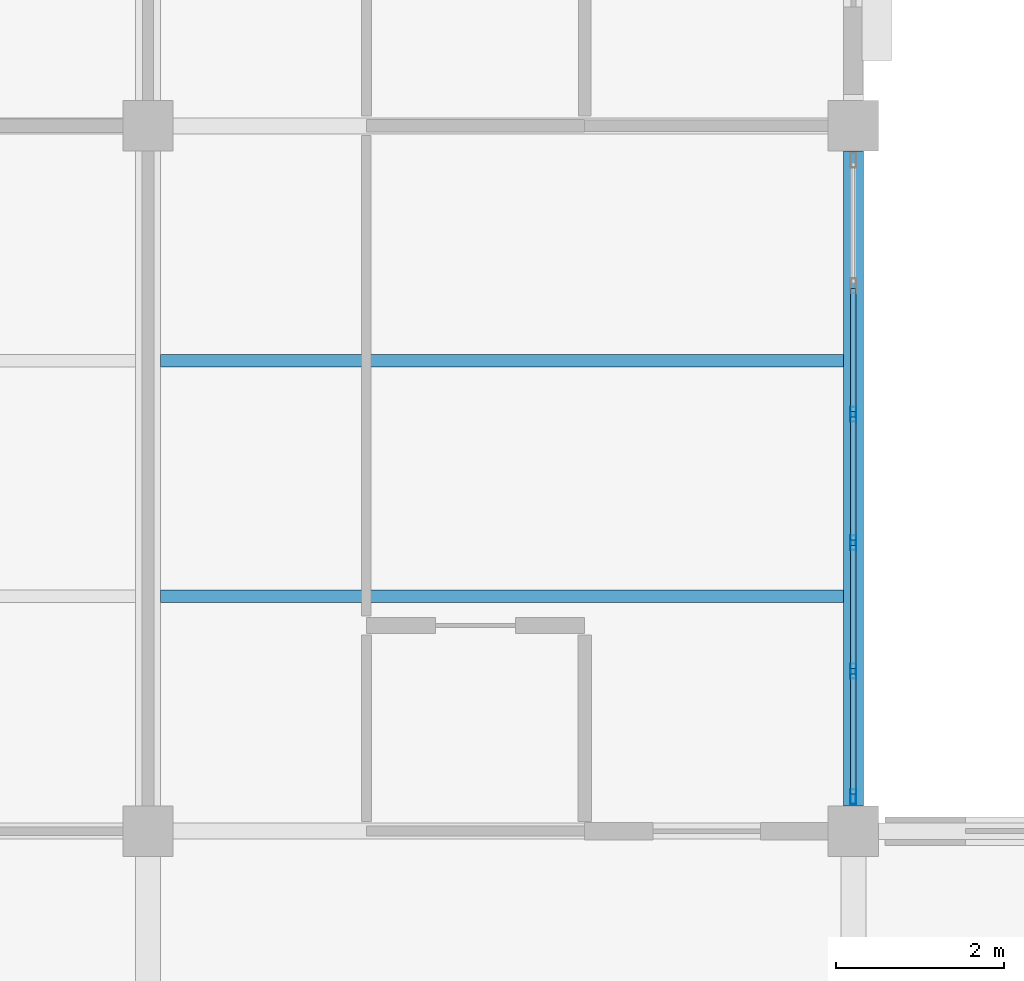
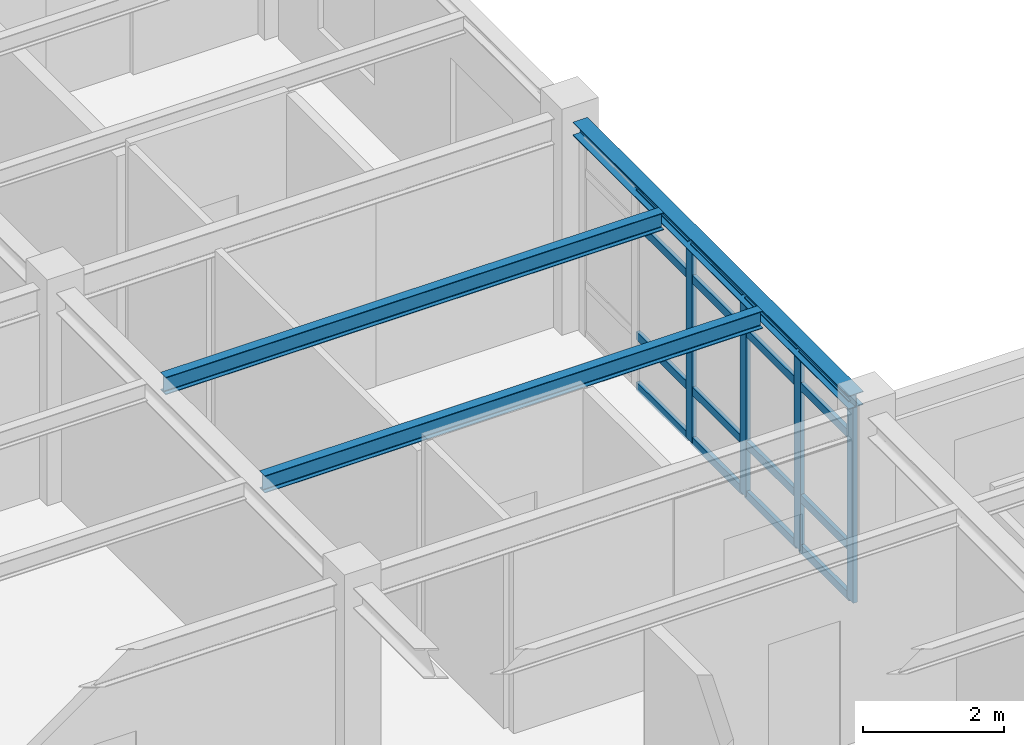
# One storey, part 8 of 86: 20 members, 3 beams, 1 element without a shape of its own.
"""IFC4 building model written with IfcOpenShell, lengths in metres."""

from ifc_helpers import new_model, si_unit, direction, frame, origin, origin_2d, place, context, subcontext, project, spatial, hollow_rectangle, i_section, extrude, material, layer, layer_set, material_profile, profile_set, type_object, element, aggregate, save


model = new_model("IFC4")

# Units and contexts
model_context = context("Model", 3, precision=1e-05, world=origin(), true_north=direction((0.0, 1.0)))
body_context = subcontext(model_context, "Body", "Model", "MODEL_VIEW")
ifc_project = project(units=[si_unit("LENGTHUNIT", "METRE"), si_unit("AREAUNIT", "SQUARE_METRE"), si_unit("VOLUMEUNIT", "CUBIC_METRE"), si_unit("PLANEANGLEUNIT", "RADIAN"), si_unit("MASSUNIT", "GRAM", prefix="KILO")], contexts=[model_context])

# Site, building, storey
site_placement = place(None, origin())
site = spatial("IfcSite", under=ifc_project, at=site_placement, CompositionType="ELEMENT")
building_placement = place(site_placement, origin())
building = spatial("IfcBuilding", under=site, at=building_placement, Name="Bramfleet General Hospital", CompositionType="ELEMENT")
storey_placement = place(building_placement, frame((0.0, 0.0, 18.60009765625)))
storey = spatial("IfcBuildingStorey", under=building, at=storey_placement, Name="L04", CompositionType="ELEMENT", Elevation=18.60009765625)

# Beams
ifc_material_1 = material(Name="Steel S355", Category="steel")
ifc_material_profile_1 = material_profile(ifc_material_1, i_section(OverallWidth=0.239990234375, OverallDepth=0.22998046875, WebThickness=0.007568359375, FlangeThickness=0.011962890625, FilletRadius=0.02099609375, at=origin_2d()), Name="HEA 240")
ifc_profile_set_1 = profile_set([ifc_material_profile_1], Name="Steel S355")
beam_type_1 = type_object("IfcBeamType", Name="BM-HEA240", PredefinedType="SPANDREL", material=ifc_profile_set_1)
beam_placement = place(storey_placement, frame((117.60009765625, 25.5, 3.5048828125), z_axis=(0.0, 1.0, 0.0), x_axis=(-1.0, 0.0, 0.0)))
element("IfcBeam", 1, at=beam_placement, inside=storey, type_object=beam_type_1, Name="L04 Grid Beam Y 14-03", PredefinedType="SPANDREL", context=body_context, shape_type="SweptSolid", body=[
    extrude(i_section(OverallWidth=0.239990234375, OverallDepth=0.22998046875, WebThickness=0.007568359375, FlangeThickness=0.011962890625, FilletRadius=0.02099609375, at=origin_2d()), origin(), (0.0, 0.0, 1.0), 7.800048828125),
])
ifc_material_profile_2 = material_profile(ifc_material_1, i_section(OverallWidth=0.14990234375, OverallDepth=0.300048828125, WebThickness=0.007080078125, FlangeThickness=0.0107421875, FilletRadius=0.014892578125, at=origin_2d()), Name="IPE 300")
ifc_profile_set_2 = profile_set([ifc_material_profile_2], Name="Steel S355")
beam_type_2 = type_object("IfcBeamType", Name="BM-IPE300", PredefinedType="JOIST", material=ifc_profile_set_2)
for number, where, z_axis, x_axis, name in (
    (2, (109.35009765625, 28.0, 3.469970703125), (1.0, 0.0, 0.0), (0.0, 1.0, 0.0), "L04 Secondary Joist 13-03-1"),
    (3, (109.35009765625, 30.800048828125, 3.469970703125), (1.0, 0.0, 0.0), (0.0, 1.0, 0.0), "L04 Secondary Joist 13-03-2"),
):
    element("IfcBeam", number, at=place(storey_placement, frame(where, z_axis=z_axis, x_axis=x_axis)), inside=storey, type_object=beam_type_2, Name=name, PredefinedType="JOIST", context=body_context, shape_type="SweptSolid", body=[
        extrude(i_section(OverallWidth=0.14990234375, OverallDepth=0.300048828125, WebThickness=0.007080078125, FlangeThickness=0.0107421875, FilletRadius=0.014892578125, at=origin_2d()), origin(), (0.0, 0.0, 1.0), 8.1298828125),
    ])

# Curtain wall, members
ifc_material_2 = material(Name="Anodised aluminium and low-E triple glazing", Category="aluminium")
ifc_layer = layer(ifc_material_2, 0.179931640625, Name="CWT-CW-13")
ifc_layer_set = layer_set([ifc_layer], Name="Anodised aluminium and low-E triple glazing")
curtain_wall_type = type_object("IfcCurtainWallType", Name="CWT-CW-13", PredefinedType="USERDEFINED", material=ifc_layer_set)
curtain_wall_placement = place(storey_placement, origin())
curtain_wall = element("IfcCurtainWall", 4, at=curtain_wall_placement, inside=storey, type_object=curtain_wall_type, Name="L04 Curtain Wall 193", ObjectType="Stick curtain wall", PredefinedType="USERDEFINED")
ifc_material_3 = material(Name="Anodised aluminium EN AW-6060", Category="aluminium")
ifc_material_profile_3 = material_profile(ifc_material_3, hollow_rectangle(XDim=0.070068359375, YDim=0.179931640625, WallThickness=0.00390625, at=origin_2d()), Name="ALU 180x70x4.0")
ifc_profile_set_3 = profile_set([ifc_material_profile_3], Name="Anodised aluminium EN AW-6060")
member_type_1 = type_object("IfcMemberType", Name="CWM-ALU180", PredefinedType="MULLION", material=ifc_profile_set_3)
member_1_placement = place(storey_placement, frame((117.60009765625, 30.1650390625, 0.0), z_axis=(0.0, 0.0, 1.0), x_axis=(1.0, 0.0, 0.0)))
member_1 = element("IfcMember", 5, at=member_1_placement, type_object=member_type_1, Name="CW-13 mullion 3", PredefinedType="MULLION", context=body_context, shape_type="SweptSolid", body=[
    extrude(hollow_rectangle(XDim=0.070068359375, YDim=0.179931640625, WallThickness=0.00390625, at=origin_2d()), origin(), (0.0, 0.0, 1.0), 3.3798828125),
])
member_2_placement = place(storey_placement, frame((117.60009765625, 28.635009765625, 0.0), z_axis=(0.0, 0.0, 1.0), x_axis=(1.0, 0.0, 0.0)))
member_2 = element("IfcMember", 6, at=member_2_placement, type_object=member_type_1, Name="CW-13 mullion 4", PredefinedType="MULLION", context=body_context, shape_type="SweptSolid", body=[
    extrude(hollow_rectangle(XDim=0.070068359375, YDim=0.179931640625, WallThickness=0.00390625, at=origin_2d()), origin(), (0.0, 0.0, 1.0), 3.3798828125),
])
member_3_placement = place(storey_placement, frame((117.60009765625, 27.10498046875, 0.0), z_axis=(0.0, 0.0, 1.0), x_axis=(1.0, 0.0, 0.0)))
member_3 = element("IfcMember", 7, at=member_3_placement, type_object=member_type_1, Name="CW-13 mullion 5", PredefinedType="MULLION", context=body_context, shape_type="SweptSolid", body=[
    extrude(hollow_rectangle(XDim=0.070068359375, YDim=0.179931640625, WallThickness=0.00390625, at=origin_2d()), origin(), (0.0, 0.0, 1.0), 3.3798828125),
])
member_4_placement = place(storey_placement, frame((117.60009765625, 25.610107421875, 0.0), z_axis=(0.0, 0.0, 1.0), x_axis=(1.0, 0.0, 0.0)))
member_4 = element("IfcMember", 8, at=member_4_placement, type_object=member_type_1, Name="CW-13 mullion 6", PredefinedType="MULLION", context=body_context, shape_type="SweptSolid", body=[
    extrude(hollow_rectangle(XDim=0.070068359375, YDim=0.179931640625, WallThickness=0.00390625, at=origin_2d()), origin(), (0.0, 0.0, 1.0), 3.3798828125),
])
ifc_material_profile_4 = material_profile(ifc_material_3, hollow_rectangle(XDim=0.06494140625, YDim=0.139892578125, WallThickness=0.00390625, at=origin_2d()), Name="ALU 140x65x4.0")
ifc_profile_set_4 = profile_set([ifc_material_profile_4], Name="Anodised aluminium EN AW-6060")
member_type_2 = type_object("IfcMemberType", Name="CWT-ALU140", PredefinedType="USERDEFINED", material=ifc_profile_set_4)
member_5_placement = place(storey_placement, frame((117.60009765625, 31.659912109375, 0.032470703125), z_axis=(0.0, -1.0, 0.0), x_axis=(1.0, 0.0, 0.0)))
member_5 = element("IfcMember", 9, at=member_5_placement, type_object=member_type_2, Name="CW-13 transom 2.1", ObjectType="TRANSOM", PredefinedType="USERDEFINED", context=body_context, shape_type="SweptSolid", body=[
    extrude(hollow_rectangle(XDim=0.06494140625, YDim=0.139892578125, WallThickness=0.00390625, at=origin_2d()), origin(), (0.0, 0.0, 1.0), 1.4599609375),
])
member_6_placement = place(storey_placement, frame((117.60009765625, 31.659912109375, 0.89990234375), z_axis=(0.0, -1.0, 0.0), x_axis=(1.0, 0.0, 0.0)))
member_6 = element("IfcMember", 10, at=member_6_placement, type_object=member_type_2, Name="CW-13 transom 2.2", ObjectType="TRANSOM", PredefinedType="USERDEFINED", context=body_context, shape_type="SweptSolid", body=[
    extrude(hollow_rectangle(XDim=0.06494140625, YDim=0.139892578125, WallThickness=0.00390625, at=origin_2d()), origin(), (0.0, 0.0, 1.0), 1.4599609375),
])
member_7_placement = place(storey_placement, frame((117.60009765625, 31.659912109375, 2.829833984375), z_axis=(0.0, -1.0, 0.0), x_axis=(1.0, 0.0, 0.0)))
member_7 = element("IfcMember", 11, at=member_7_placement, type_object=member_type_2, Name="CW-13 transom 2.3", ObjectType="TRANSOM", PredefinedType="USERDEFINED", context=body_context, shape_type="SweptSolid", body=[
    extrude(hollow_rectangle(XDim=0.06494140625, YDim=0.139892578125, WallThickness=0.00390625, at=origin_2d()), origin(), (0.0, 0.0, 1.0), 1.4599609375),
])
member_8_placement = place(storey_placement, frame((117.60009765625, 31.659912109375, 3.347412109375), z_axis=(0.0, -1.0, 0.0), x_axis=(1.0, 0.0, 0.0)))
member_8 = element("IfcMember", 12, at=member_8_placement, type_object=member_type_2, Name="CW-13 transom 2.4", ObjectType="TRANSOM", PredefinedType="USERDEFINED", context=body_context, shape_type="SweptSolid", body=[
    extrude(hollow_rectangle(XDim=0.06494140625, YDim=0.139892578125, WallThickness=0.00390625, at=origin_2d()), origin(), (0.0, 0.0, 1.0), 1.4599609375),
])
member_9_placement = place(storey_placement, frame((117.60009765625, 30.1298828125, 0.032470703125), z_axis=(0.0, -1.0, 0.0), x_axis=(1.0, 0.0, 0.0)))
member_9 = element("IfcMember", 13, at=member_9_placement, type_object=member_type_2, Name="CW-13 transom 3.1", ObjectType="TRANSOM", PredefinedType="USERDEFINED", context=body_context, shape_type="SweptSolid", body=[
    extrude(hollow_rectangle(XDim=0.06494140625, YDim=0.139892578125, WallThickness=0.00390625, at=origin_2d()), origin(), (0.0, 0.0, 1.0), 1.4599609375),
])
member_10_placement = place(storey_placement, frame((117.60009765625, 30.1298828125, 0.89990234375), z_axis=(0.0, -1.0, 0.0), x_axis=(1.0, 0.0, 0.0)))
member_10 = element("IfcMember", 14, at=member_10_placement, type_object=member_type_2, Name="CW-13 transom 3.2", ObjectType="TRANSOM", PredefinedType="USERDEFINED", context=body_context, shape_type="SweptSolid", body=[
    extrude(hollow_rectangle(XDim=0.06494140625, YDim=0.139892578125, WallThickness=0.00390625, at=origin_2d()), origin(), (0.0, 0.0, 1.0), 1.4599609375),
])
member_11_placement = place(storey_placement, frame((117.60009765625, 30.1298828125, 2.829833984375), z_axis=(0.0, -1.0, 0.0), x_axis=(1.0, 0.0, 0.0)))
member_11 = element("IfcMember", 15, at=member_11_placement, type_object=member_type_2, Name="CW-13 transom 3.3", ObjectType="TRANSOM", PredefinedType="USERDEFINED", context=body_context, shape_type="SweptSolid", body=[
    extrude(hollow_rectangle(XDim=0.06494140625, YDim=0.139892578125, WallThickness=0.00390625, at=origin_2d()), origin(), (0.0, 0.0, 1.0), 1.4599609375),
])
member_12_placement = place(storey_placement, frame((117.60009765625, 30.1298828125, 3.347412109375), z_axis=(0.0, -1.0, 0.0), x_axis=(1.0, 0.0, 0.0)))
member_12 = element("IfcMember", 16, at=member_12_placement, type_object=member_type_2, Name="CW-13 transom 3.4", ObjectType="TRANSOM", PredefinedType="USERDEFINED", context=body_context, shape_type="SweptSolid", body=[
    extrude(hollow_rectangle(XDim=0.06494140625, YDim=0.139892578125, WallThickness=0.00390625, at=origin_2d()), origin(), (0.0, 0.0, 1.0), 1.4599609375),
])
member_13_placement = place(storey_placement, frame((117.60009765625, 28.60009765625, 0.032470703125), z_axis=(0.0, -1.0, 0.0), x_axis=(1.0, 0.0, 0.0)))
member_13 = element("IfcMember", 17, at=member_13_placement, type_object=member_type_2, Name="CW-13 transom 4.1", ObjectType="TRANSOM", PredefinedType="USERDEFINED", context=body_context, shape_type="SweptSolid", body=[
    extrude(hollow_rectangle(XDim=0.06494140625, YDim=0.139892578125, WallThickness=0.00390625, at=origin_2d()), origin(), (0.0, 0.0, 1.0), 1.460205078125),
])
member_14_placement = place(storey_placement, frame((117.60009765625, 28.60009765625, 0.89990234375), z_axis=(0.0, -1.0, 0.0), x_axis=(1.0, 0.0, 0.0)))
member_14 = element("IfcMember", 18, at=member_14_placement, type_object=member_type_2, Name="CW-13 transom 4.2", ObjectType="TRANSOM", PredefinedType="USERDEFINED", context=body_context, shape_type="SweptSolid", body=[
    extrude(hollow_rectangle(XDim=0.06494140625, YDim=0.139892578125, WallThickness=0.00390625, at=origin_2d()), origin(), (0.0, 0.0, 1.0), 1.460205078125),
])
member_15_placement = place(storey_placement, frame((117.60009765625, 28.60009765625, 2.829833984375), z_axis=(0.0, -1.0, 0.0), x_axis=(1.0, 0.0, 0.0)))
member_15 = element("IfcMember", 19, at=member_15_placement, type_object=member_type_2, Name="CW-13 transom 4.3", ObjectType="TRANSOM", PredefinedType="USERDEFINED", context=body_context, shape_type="SweptSolid", body=[
    extrude(hollow_rectangle(XDim=0.06494140625, YDim=0.139892578125, WallThickness=0.00390625, at=origin_2d()), origin(), (0.0, 0.0, 1.0), 1.460205078125),
])
member_16_placement = place(storey_placement, frame((117.60009765625, 28.60009765625, 3.347412109375), z_axis=(0.0, -1.0, 0.0), x_axis=(1.0, 0.0, 0.0)))
member_16 = element("IfcMember", 20, at=member_16_placement, type_object=member_type_2, Name="CW-13 transom 4.4", ObjectType="TRANSOM", PredefinedType="USERDEFINED", context=body_context, shape_type="SweptSolid", body=[
    extrude(hollow_rectangle(XDim=0.06494140625, YDim=0.139892578125, WallThickness=0.00390625, at=origin_2d()), origin(), (0.0, 0.0, 1.0), 1.460205078125),
])
member_17_placement = place(storey_placement, frame((117.60009765625, 27.070068359375, 0.032470703125), z_axis=(0.0, -1.0, 0.0), x_axis=(1.0, 0.0, 0.0)))
member_17 = element("IfcMember", 21, at=member_17_placement, type_object=member_type_2, Name="CW-13 transom 5.1", ObjectType="TRANSOM", PredefinedType="USERDEFINED", context=body_context, shape_type="SweptSolid", body=[
    extrude(hollow_rectangle(XDim=0.06494140625, YDim=0.139892578125, WallThickness=0.00390625, at=origin_2d()), origin(), (0.0, 0.0, 1.0), 1.425048828125),
])
member_18_placement = place(storey_placement, frame((117.60009765625, 27.070068359375, 0.89990234375), z_axis=(0.0, -1.0, 0.0), x_axis=(1.0, 0.0, 0.0)))
member_18 = element("IfcMember", 22, at=member_18_placement, type_object=member_type_2, Name="CW-13 transom 5.2", ObjectType="TRANSOM", PredefinedType="USERDEFINED", context=body_context, shape_type="SweptSolid", body=[
    extrude(hollow_rectangle(XDim=0.06494140625, YDim=0.139892578125, WallThickness=0.00390625, at=origin_2d()), origin(), (0.0, 0.0, 1.0), 1.425048828125),
])
member_19_placement = place(storey_placement, frame((117.60009765625, 27.070068359375, 2.829833984375), z_axis=(0.0, -1.0, 0.0), x_axis=(1.0, 0.0, 0.0)))
member_19 = element("IfcMember", 23, at=member_19_placement, type_object=member_type_2, Name="CW-13 transom 5.3", ObjectType="TRANSOM", PredefinedType="USERDEFINED", context=body_context, shape_type="SweptSolid", body=[
    extrude(hollow_rectangle(XDim=0.06494140625, YDim=0.139892578125, WallThickness=0.00390625, at=origin_2d()), origin(), (0.0, 0.0, 1.0), 1.425048828125),
])
member_20_placement = place(storey_placement, frame((117.60009765625, 27.070068359375, 3.347412109375), z_axis=(0.0, -1.0, 0.0), x_axis=(1.0, 0.0, 0.0)))
member_20 = element("IfcMember", 24, at=member_20_placement, type_object=member_type_2, Name="CW-13 transom 5.4", ObjectType="TRANSOM", PredefinedType="USERDEFINED", context=body_context, shape_type="SweptSolid", body=[
    extrude(hollow_rectangle(XDim=0.06494140625, YDim=0.139892578125, WallThickness=0.00390625, at=origin_2d()), origin(), (0.0, 0.0, 1.0), 1.425048828125),
])
aggregate(curtain_wall, [member_1, member_2, member_3, member_4, member_5, member_6, member_7, member_8, member_9, member_10, member_11, member_12, member_13, member_14, member_15, member_16, member_17, member_18, member_19, member_20])

save(model, "model.ifc")
